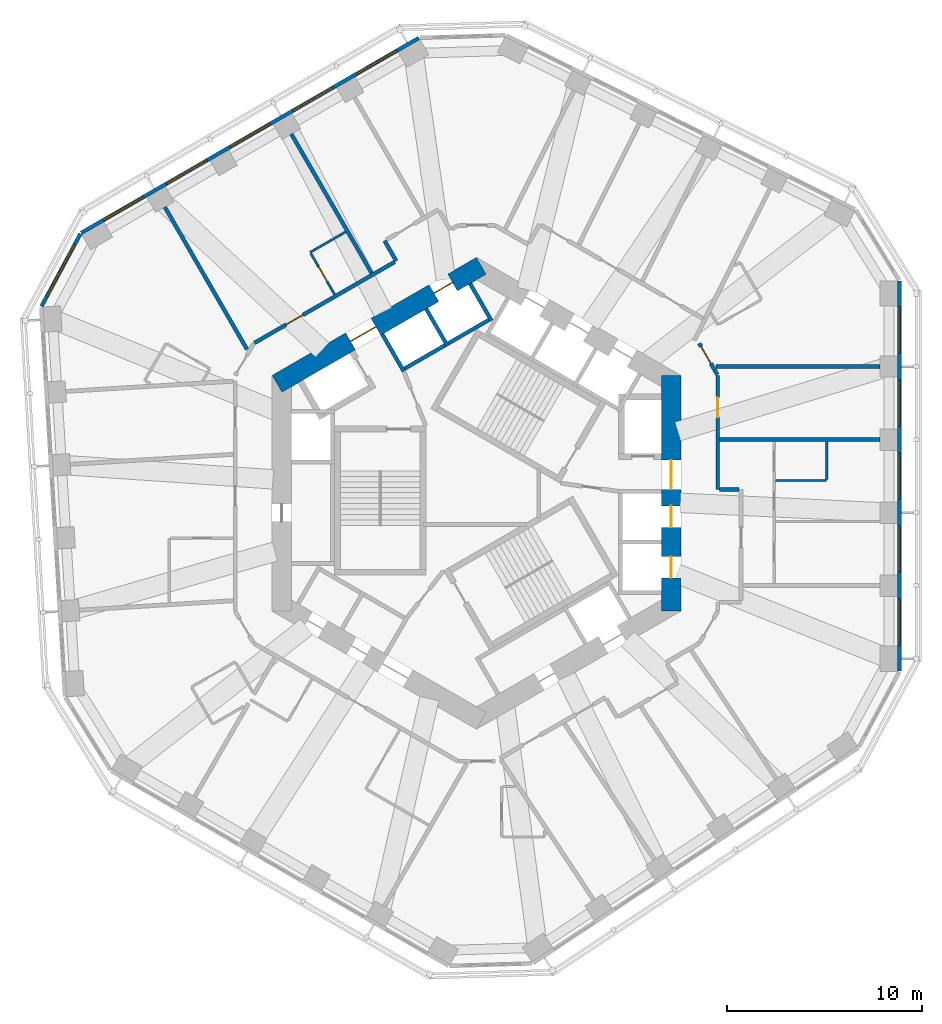
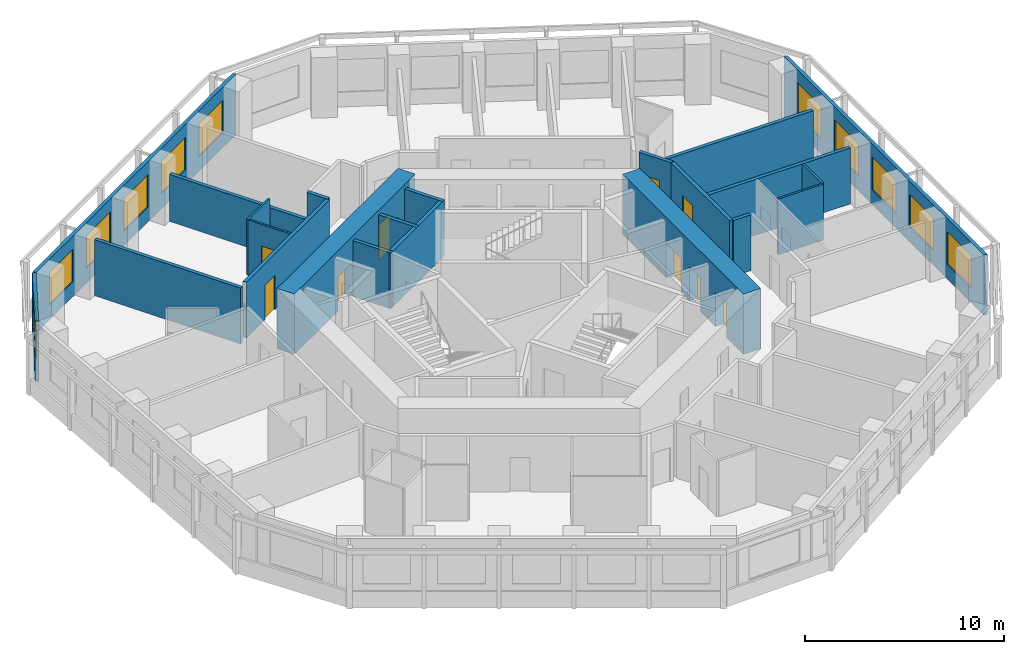
# One storey, part 7 of 11: 22 walls, 11 windows, 9 doors, 20 openings.
"""IFC4 building model written with IfcOpenShell, lengths in metres."""

from ifc_helpers import new_model, si_unit, direction, frame, frame_2d, origin, place, context, subcontext, project, spatial, rectangle, extrude, material, layer, layer_set, type_object, element, fill, save


model = new_model("IFC4")

# Units and contexts
model_context = context("Model", 3, precision=1e-05, world=origin(), true_north=direction((0.0, 1.0)))
body_context = subcontext(model_context, "Body", "Model", "MODEL_VIEW")
ifc_project = project(units=[si_unit("LENGTHUNIT", "METRE"), si_unit("AREAUNIT", "SQUARE_METRE"), si_unit("VOLUMEUNIT", "CUBIC_METRE"), si_unit("PLANEANGLEUNIT", "RADIAN"), si_unit("MASSUNIT", "GRAM", prefix="KILO")], contexts=[model_context])

# Site, building, storey
site_placement = place(None, origin())
site = spatial("IfcSite", under=ifc_project, at=site_placement, CompositionType="ELEMENT")
building_placement = place(site_placement, origin())
building = spatial("IfcBuilding", under=site, at=building_placement, Name="Vanh Sen Convention Tower", CompositionType="ELEMENT")
storey_placement = place(building_placement, frame((0.0, 0.0, 131.800048828125)))
storey = spatial("IfcBuildingStorey", under=building, at=storey_placement, Name="L32", CompositionType="ELEMENT", Elevation=131.800048828125)

# Wall
ifc_material_1 = material(Name="Moisture-resistant gypsum board on steel studs", Category="steel")
ifc_layer_1 = layer(ifc_material_1, 0.1201171875)
ifc_layer_set_1 = layer_set([ifc_layer_1], Name="Moisture-resistant gypsum board on steel studs")
wall_type_1 = type_object("IfcWallType", Name="Bathroom partition 120", PredefinedType="PARTITIONING", material=ifc_layer_set_1)
wall_1_placement = place(storey_placement, frame((-8.54541015625, 12.38671875, 0.0), z_axis=(0.0, 0.0, 1.0), x_axis=(0.866009402589, 0.500027713859, 0.0)))
element("IfcWall", 1, at=wall_1_placement, inside=storey, type_object=wall_type_1, Name="Bathroom partition 120", PredefinedType="PARTITIONING", context=body_context, shape_type="SweptSolid", body=[
    extrude(rectangle(XDim=2.10009765625, YDim=0.1201171875, at=frame_2d((1.050048828125, 0.0))), origin(), (0.0, 0.0, 1.0), 3.419921875),
])

# Wall, opening, door
wall_2_placement = place(storey_placement, frame((-7.29541015625, 10.2216796875, 0.0), z_axis=(0.0, 0.0, 1.0), x_axis=(-0.500002508028, 0.866023955769, 0.0)))
wall_2 = element("IfcWall", 2, at=wall_2_placement, inside=storey, type_object=wall_type_1, Name="Bathroom partition 120", PredefinedType="PARTITIONING", context=body_context, shape_type="SweptSolid", body=[
    extrude(rectangle(XDim=2.43994140625, YDim=0.1201171875, at=frame_2d((1.219970703125, 0.0))), origin(), (0.0, 0.0, 1.0), 3.419921875),
])
opening_1_placement = place(wall_2_placement, frame((0.77001953125, 0.0, 0.0)))
opening_1 = element("IfcOpeningElement", 3, at=opening_1_placement, cuts=wall_2, Name="Opening D32114", PredefinedType="OPENING", context=body_context, shape_type="SweptSolid", body=[
    extrude(rectangle(XDim=0.89990234375, YDim=2.10009765625, at=frame_2d((0.449951171875, 1.050048828125))), frame((0.0, 0.070068359375, 0.0), z_axis=(0.0, -1.0, 0.0), x_axis=(1.0, 0.0, 0.0)), (0.0, 0.0, 1.0), 0.14013671875),
])
ifc_material_2 = material(Name="Laminate door in steel frame", Category="steel")
door_type_1 = type_object("IfcDoorType", Name="Room internal door 900", OperationType="SINGLE_SWING_LEFT", PredefinedType="DOOR", material=ifc_material_2)
door_1_placement = place(opening_1_placement, origin())
door_1 = element("IfcDoor", 4, at=door_1_placement, inside=storey, type_object=door_type_1, Name="Internal room door D32114", OperationType="SINGLE_SWING_LEFT", OverallHeight=2.10009765625, OverallWidth=0.89990234375, PredefinedType="DOOR", context=body_context, shape_type="SweptSolid", body=[
    extrude(rectangle(XDim=0.89990234375, YDim=2.10009765625, at=frame_2d((0.449951171875, 1.050048828125))), frame((0.0, 0.02490234375, 0.0), z_axis=(0.0, -1.0, 0.0), x_axis=(1.0, 0.0, 0.0)), (0.0, 0.0, 1.0), 0.050048828125),
])
fill(opening_1, door_1)

# Walls
wall_3_placement = place(storey_placement, frame((15.361083984375, 0.661376953125, 0.0), z_axis=(0.0, 0.0, 1.0), x_axis=(1.0, 0.0, 0.0)))
element("IfcWall", 5, at=wall_3_placement, inside=storey, type_object=wall_type_1, Name="Bathroom partition 120", PredefinedType="PARTITIONING", context=body_context, shape_type="SweptSolid", body=[
    extrude(rectangle(XDim=2.639892578125, YDim=0.1201171875, at=frame_2d((1.31982421875, 0.0))), origin(), (0.0, 0.0, 1.0), 3.419921875),
])
wall_4_placement = place(storey_placement, frame((18.0009765625, 0.72119140625, 0.0), z_axis=(0.0, 0.0, 1.0), x_axis=(0.0, 1.0, 0.0)))
element("IfcWall", 6, at=wall_4_placement, inside=storey, type_object=wall_type_1, Name="Bathroom partition 120", PredefinedType="PARTITIONING", context=body_context, shape_type="SweptSolid", body=[
    extrude(rectangle(XDim=1.940185546875, YDim=0.1201171875, at=frame_2d((0.97021484375, 0.0))), origin(), (0.0, 0.0, 1.0), 3.419921875),
])

# Wall, openings, doors
ifc_material_3 = material(Name="Concrete C80/95", Category="concrete")
ifc_layer_2 = layer(ifc_material_3, 1.0)
ifc_layer_set_2 = layer_set([ifc_layer_2], Name="Concrete C80/95")
wall_type_2 = type_object("IfcWallType", Name="Core outer wall 1000 C80/95", PredefinedType="SHEAR", material=ifc_layer_set_2)
wall_5_placement = place(storey_placement, frame((10.0, -6.062255859375, 0.0), z_axis=(0.0, 0.0, 1.0), x_axis=(0.0, 1.0, 0.0)))
wall_5 = element("IfcWall", 7, at=wall_5_placement, inside=storey, type_object=wall_type_2, Name="Core wall face E L32", PredefinedType="SHEAR", context=body_context, shape_type="SweptSolid", body=[
    extrude(rectangle(XDim=12.12451171875, YDim=1.0, at=frame_2d((6.062255859375, 0.0))), origin(), (0.0, 0.0, 1.0), 3.699951171875),
])
opening_2_placement = place(wall_5_placement, frame((6.26220703125, 0.0, 0.0)))
opening_2 = element("IfcOpeningElement", 8, at=opening_2_placement, cuts=wall_5, Name="Opening D32001", PredefinedType="OPENING", context=body_context, shape_type="SweptSolid", body=[
    extrude(rectangle(XDim=1.5, YDim=2.10009765625, at=frame_2d((0.75, 1.050048828125))), frame((0.0, 0.510009765625, 0.0), z_axis=(0.0, -1.0, 0.0), x_axis=(1.0, 0.0, 0.0)), (0.0, 0.0, 1.0), 1.02001953125),
])
opening_3_placement = place(wall_5_placement, frame((1.712158203125, 0.0, 0.0)))
opening_3 = element("IfcOpeningElement", 9, at=opening_3_placement, cuts=wall_5, Name="Opening LD-LR1", PredefinedType="OPENING", context=body_context, shape_type="SweptSolid", body=[
    extrude(rectangle(XDim=1.10009765625, YDim=2.10009765625, at=frame_2d((0.550048828125, 1.050048828125))), frame((0.0, 0.510009765625, 0.0), z_axis=(0.0, -1.0, 0.0), x_axis=(1.0, 0.0, 0.0)), (0.0, 0.0, 1.0), 1.02001953125),
])
opening_4_placement = place(wall_5_placement, frame((4.312255859375, 0.0, 0.0)))
opening_4 = element("IfcOpeningElement", 10, at=opening_4_placement, cuts=wall_5, Name="Opening LD-LR2", PredefinedType="OPENING", context=body_context, shape_type="SweptSolid", body=[
    extrude(rectangle(XDim=1.10009765625, YDim=2.10009765625, at=frame_2d((0.550048828125, 1.050048828125))), frame((0.0, 0.510009765625, 0.0), z_axis=(0.0, -1.0, 0.0), x_axis=(1.0, 0.0, 0.0)), (0.0, 0.0, 1.0), 1.02001953125),
])
ifc_material_4 = material(Name="Stainless steel", Category="steel")
door_type_2 = type_object("IfcDoorType", Name="Lift landing door 1100", OperationType="DOUBLE_DOOR_SLIDING", PredefinedType="DOOR", material=ifc_material_4)
door_2_placement = place(opening_3_placement, origin())
door_2 = element("IfcDoor", 11, at=door_2_placement, inside=storey, type_object=door_type_2, Name="Lift LR1 landing door LD-LR1", OperationType="DOUBLE_DOOR_SLIDING", OverallHeight=2.10009765625, OverallWidth=1.10009765625, PredefinedType="DOOR", context=body_context, shape_type="SweptSolid", body=[
    extrude(rectangle(XDim=1.10009765625, YDim=2.10009765625, at=frame_2d((0.550048828125, 1.050048828125))), frame((0.0, 0.02490234375, 0.0), z_axis=(0.0, -1.0, 0.0), x_axis=(1.0, 0.0, 0.0)), (0.0, 0.0, 1.0), 0.050048828125),
])
fill(opening_3, door_2)
door_3_placement = place(opening_4_placement, origin())
door_3 = element("IfcDoor", 12, at=door_3_placement, inside=storey, type_object=door_type_2, Name="Lift LR2 landing door LD-LR2", OperationType="DOUBLE_DOOR_SLIDING", OverallHeight=2.10009765625, OverallWidth=1.10009765625, PredefinedType="DOOR", context=body_context, shape_type="SweptSolid", body=[
    extrude(rectangle(XDim=1.10009765625, YDim=2.10009765625, at=frame_2d((0.550048828125, 1.050048828125))), frame((0.0, 0.02490234375, 0.0), z_axis=(0.0, -1.0, 0.0), x_axis=(1.0, 0.0, 0.0)), (0.0, 0.0, 1.0), 0.050048828125),
])
fill(opening_4, door_3)
ifc_material_5 = material(Name="Steel S355", Category="steel")
door_type_3 = type_object("IfcDoorType", Name="Stair lobby door 1500", OperationType="DOUBLE_DOOR_SINGLE_SWING", PredefinedType="DOOR", material=ifc_material_5)
door_4_placement = place(opening_2_placement, origin())
door_4 = element("IfcDoor", 13, at=door_4_placement, inside=storey, type_object=door_type_3, Name="Stair lobby door D32001", OperationType="DOUBLE_DOOR_SINGLE_SWING", OverallHeight=2.10009765625, OverallWidth=1.5, PredefinedType="DOOR", context=body_context, shape_type="SweptSolid", body=[
    extrude(rectangle(XDim=1.5, YDim=2.10009765625, at=frame_2d((0.75, 1.050048828125))), frame((0.0, 0.02490234375, 0.0), z_axis=(0.0, -1.0, 0.0), x_axis=(1.0, 0.0, 0.0)), (0.0, 0.0, 1.0), 0.050048828125),
])
fill(opening_2, door_4)

wall_6_placement = place(storey_placement, frame((0.25, 11.69140625, 0.0), z_axis=(0.0, 0.0, 1.0), x_axis=(-0.866022616891, -0.50000482701, 0.0)))
wall_6 = element("IfcWall", 14, at=wall_6_placement, inside=storey, type_object=wall_type_2, Name="Core wall face NW L32", PredefinedType="SHEAR", context=body_context, shape_type="SweptSolid", body=[
    extrude(rectangle(XDim=12.12451171875, YDim=1.0, at=frame_2d((6.062255859375, 0.0))), origin(), (0.0, 0.0, 1.0), 3.699951171875),
])
opening_5_placement = place(wall_6_placement, frame((6.26220703125, 0.0, 0.0)))
opening_5 = element("IfcOpeningElement", 15, at=opening_5_placement, cuts=wall_6, Name="Opening D32002", PredefinedType="OPENING", context=body_context, shape_type="SweptSolid", body=[
    extrude(rectangle(XDim=1.5, YDim=2.10009765625, at=frame_2d((0.75, 1.050048828125))), frame((0.0, 0.510009765625, 0.0), z_axis=(0.0, -1.0, 0.0), x_axis=(1.0, 0.0, 0.0)), (0.0, 0.0, 1.0), 1.02001953125),
])
opening_6_placement = place(wall_6_placement, frame((1.712158203125, 0.0, 0.0)))
opening_6 = element("IfcOpeningElement", 16, at=opening_6_placement, cuts=wall_6, Name="Opening LD-LR6", PredefinedType="OPENING", context=body_context, shape_type="SweptSolid", body=[
    extrude(rectangle(XDim=1.10009765625, YDim=2.10009765625, at=frame_2d((0.550048828125, 1.050048828125))), frame((0.0, 0.510009765625, 0.0), z_axis=(0.0, -1.0, 0.0), x_axis=(1.0, 0.0, 0.0)), (0.0, 0.0, 1.0), 1.02001953125),
])
door_5_placement = place(opening_6_placement, origin())
door_5 = element("IfcDoor", 17, at=door_5_placement, inside=storey, type_object=door_type_2, Name="Lift LR6 landing door LD-LR6", OperationType="DOUBLE_DOOR_SLIDING", OverallHeight=2.10009765625, OverallWidth=1.10009765625, PredefinedType="DOOR", context=body_context, shape_type="SweptSolid", body=[
    extrude(rectangle(XDim=1.10009765625, YDim=2.10009765625, at=frame_2d((0.550048828125, 1.050048828125))), frame((0.0, 0.02490234375, 0.0), z_axis=(0.0, -1.0, 0.0), x_axis=(1.0, 0.0, 0.0)), (0.0, 0.0, 1.0), 0.050048828125),
])
fill(opening_6, door_5)
door_6_placement = place(opening_5_placement, origin())
door_6 = element("IfcDoor", 18, at=door_6_placement, inside=storey, type_object=door_type_3, Name="Stair lobby door D32002", OperationType="DOUBLE_DOOR_SINGLE_SWING", OverallHeight=2.10009765625, OverallWidth=1.5, PredefinedType="DOOR", context=body_context, shape_type="SweptSolid", body=[
    extrude(rectangle(XDim=1.5, YDim=2.10009765625, at=frame_2d((0.75, 1.050048828125))), frame((0.0, 0.02490234375, 0.0), z_axis=(0.0, -1.0, 0.0), x_axis=(1.0, 0.0, 0.0)), (0.0, 0.0, 1.0), 0.050048828125),
])
fill(opening_5, door_6)

# Wall
ifc_material_6 = material(Name="Gypsum board on steel studs with mineral wool", Category="steel")
ifc_layer_3 = layer(ifc_material_6, 0.199951171875)
ifc_layer_set_3 = layer_set([ifc_layer_3], Name="Gypsum board on steel studs with mineral wool")
wall_type_3 = type_object("IfcWallType", Name="Corridor partition wall 200", PredefinedType="PARTITIONING", material=ifc_layer_set_3)
wall_7_placement = place(storey_placement, frame((-4.722900390625, 12.978271484375, 0.0), z_axis=(0.0, 0.0, 1.0), x_axis=(0.500074377092, -0.865982457891, 0.0)))
element("IfcWall", 19, at=wall_7_placement, inside=storey, type_object=wall_type_3, Name="Corridor partition wall 200", PredefinedType="PARTITIONING", context=body_context, shape_type="SweptSolid", body=[
    extrude(rectangle(XDim=1.200927734375, YDim=0.199951171875, at=frame_2d((0.6005859375, 0.0))), origin(), (0.0, 0.0, 1.0), 3.419921875),
])

# Wall, opening, door
wall_8_placement = place(storey_placement, frame((-4.208984375, 11.88818359375, 0.0), z_axis=(0.0, 0.0, 1.0), x_axis=(-0.866020930448, -0.500007747966, 0.0)))
wall_8 = element("IfcWall", 20, at=wall_8_placement, inside=storey, type_object=wall_type_3, Name="Corridor partition wall 200", PredefinedType="PARTITIONING", context=body_context, shape_type="SweptSolid", body=[
    extrude(rectangle(XDim=8.321044921875, YDim=0.199951171875, at=frame_2d((4.16064453125, 0.0))), origin(), (0.0, 0.0, 1.0), 3.419921875),
])
opening_7_placement = place(wall_8_placement, frame((5.438720703125, 0.0, 0.0)))
opening_7 = element("IfcOpeningElement", 21, at=opening_7_placement, cuts=wall_8, Name="Opening D32113", PredefinedType="OPENING", context=body_context, shape_type="SweptSolid", body=[
    extrude(rectangle(XDim=1.0, YDim=2.10009765625, at=frame_2d((0.5, 1.050048828125))), frame((0.0, 0.10986328125, 0.0), z_axis=(0.0, -1.0, 0.0), x_axis=(1.0, 0.0, 0.0)), (0.0, 0.0, 1.0), 0.219970703125),
])
ifc_material_7 = material(Name="Glazed fire door in steel frame", Category="steel")
door_type_4 = type_object("IfcDoorType", Name="Tenant entrance door 1000", OperationType="SINGLE_SWING_LEFT", PredefinedType="DOOR", material=ifc_material_7)
door_7_placement = place(opening_7_placement, origin())
door_7 = element("IfcDoor", 22, at=door_7_placement, inside=storey, type_object=door_type_4, Name="Tenant suite entrance door D32113", OperationType="SINGLE_SWING_LEFT", OverallHeight=2.10009765625, OverallWidth=1.0, PredefinedType="DOOR", context=body_context, shape_type="SweptSolid", body=[
    extrude(rectangle(XDim=1.0, YDim=2.10009765625, at=frame_2d((0.5, 1.050048828125))), frame((0.0, 0.02490234375, 0.0), z_axis=(0.0, -1.0, 0.0), x_axis=(1.0, 0.0, 0.0)), (0.0, 0.0, 1.0), 0.050048828125),
])
fill(opening_7, door_7)

wall_9_placement = place(storey_placement, frame((12.3798828125, 6.0966796875, 0.0), z_axis=(0.0, 0.0, 1.0), x_axis=(-0.499964847546, 0.866045698112, 0.0)))
wall_9 = element("IfcWall", 23, at=wall_9_placement, inside=storey, type_object=wall_type_3, Name="Corridor partition wall 200", PredefinedType="PARTITIONING", context=body_context, shape_type="SweptSolid", body=[
    extrude(rectangle(XDim=1.860107421875, YDim=0.199951171875, at=frame_2d((0.93017578125, 0.0))), origin(), (0.0, 0.0, 1.0), 3.419921875),
])
opening_8_placement = place(wall_9_placement, frame((0.671630859375, 0.0, 0.0)))
opening_8 = element("IfcOpeningElement", 24, at=opening_8_placement, cuts=wall_9, Name="Opening D32106", PredefinedType="OPENING", context=body_context, shape_type="SweptSolid", body=[
    extrude(rectangle(XDim=1.0, YDim=2.10009765625, at=frame_2d((0.5, 1.050048828125))), frame((0.0, 0.10986328125, 0.0), z_axis=(0.0, -1.0, 0.0), x_axis=(1.0, 0.0, 0.0)), (0.0, 0.0, 1.0), 0.219970703125),
])
door_8_placement = place(opening_8_placement, origin())
door_8 = element("IfcDoor", 25, at=door_8_placement, inside=storey, type_object=door_type_4, Name="Tenant suite entrance door D32106", OperationType="SINGLE_SWING_LEFT", OverallHeight=2.10009765625, OverallWidth=1.0, PredefinedType="DOOR", context=body_context, shape_type="SweptSolid", body=[
    extrude(rectangle(XDim=1.0, YDim=2.10009765625, at=frame_2d((0.5, 1.050048828125))), frame((0.0, 0.02490234375, 0.0), z_axis=(0.0, -1.0, 0.0), x_axis=(1.0, 0.0, 0.0)), (0.0, 0.0, 1.0), 0.050048828125),
])
fill(opening_8, door_8)

wall_10_placement = place(storey_placement, frame((12.39990234375, 0.200927734375, 0.0), z_axis=(0.0, 0.0, 1.0), x_axis=(0.0, 1.0, 0.0)))
wall_10 = element("IfcWall", 26, at=wall_10_placement, inside=storey, type_object=wall_type_3, Name="Corridor partition wall 200", PredefinedType="PARTITIONING", context=body_context, shape_type="SweptSolid", body=[
    extrude(rectangle(XDim=5.861328125, YDim=0.199951171875, at=frame_2d((2.9306640625, 0.0))), origin(), (0.0, 0.0, 1.0), 3.419921875),
])
opening_9_placement = place(wall_10_placement, frame((3.710693359375, 0.0, 0.0)))
opening_9 = element("IfcOpeningElement", 27, at=opening_9_placement, cuts=wall_10, Name="Opening D32105", PredefinedType="OPENING", context=body_context, shape_type="SweptSolid", body=[
    extrude(rectangle(XDim=1.0, YDim=2.10009765625, at=frame_2d((0.5, 1.050048828125))), frame((0.0, 0.10986328125, 0.0), z_axis=(0.0, -1.0, 0.0), x_axis=(1.0, 0.0, 0.0)), (0.0, 0.0, 1.0), 0.219970703125),
])
door_9_placement = place(opening_9_placement, origin())
door_9 = element("IfcDoor", 28, at=door_9_placement, inside=storey, type_object=door_type_4, Name="Tenant suite entrance door D32105", OperationType="SINGLE_SWING_LEFT", OverallHeight=2.10009765625, OverallWidth=1.0, PredefinedType="DOOR", context=body_context, shape_type="SweptSolid", body=[
    extrude(rectangle(XDim=1.0, YDim=2.10009765625, at=frame_2d((0.5, 1.050048828125))), frame((0.0, 0.02490234375, 0.0), z_axis=(0.0, -1.0, 0.0), x_axis=(1.0, 0.0, 0.0)), (0.0, 0.0, 1.0), 0.050048828125),
])
fill(opening_9, door_9)

# Wall
wall_11_placement = place(storey_placement, frame((13.5009765625, 0.200927734375, 0.0), z_axis=(0.0, 0.0, 1.0), x_axis=(-1.0, 0.0, 0.0)))
element("IfcWall", 29, at=wall_11_placement, inside=storey, type_object=wall_type_3, Name="Corridor partition wall 200", PredefinedType="PARTITIONING", context=body_context, shape_type="SweptSolid", body=[
    extrude(rectangle(XDim=1.0009765625, YDim=0.199951171875, at=frame_2d((0.50048828125, 0.0))), origin(), (0.0, 0.0, 1.0), 3.419921875),
])

# Wall, openings, windows
ifc_material_8 = material(Name="Insulated lightweight infill wall")
ifc_layer_4 = layer(ifc_material_8, 0.199951171875)
ifc_layer_set_4 = layer_set([ifc_layer_4], Name="Insulated lightweight infill wall")
wall_type_4 = type_object("IfcWallType", Name="External wall 200", PredefinedType="STANDARD", material=ifc_layer_set_4)
wall_12_placement = place(storey_placement, frame((21.75, -9.138427734375, 0.0), z_axis=(0.0, 0.0, 1.0), x_axis=(0.0, 1.0, 0.0)))
wall_12 = element("IfcWall", 30, at=wall_12_placement, inside=storey, type_object=wall_type_4, Name="External wall E L32", PredefinedType="STANDARD", context=body_context, shape_type="SweptSolid", body=[
    extrude(rectangle(XDim=20.043701171875, YDim=0.199951171875, at=frame_2d((10.02197265625, 0.0))), origin(), (0.0, 0.0, 1.0), 3.699951171875),
])
opening_10_placement = place(wall_12_placement, frame((1.314453125, 0.0, 0.89990234375)))
opening_10 = element("IfcOpeningElement", 31, at=opening_10_placement, cuts=wall_12, Name="Opening WO1-E1", PredefinedType="OPENING", context=body_context, shape_type="SweptSolid", body=[
    extrude(rectangle(XDim=2.39990234375, YDim=2.0, at=frame_2d((1.199951171875, 1.0))), frame((0.0, 0.10986328125, 0.0), z_axis=(0.0, -1.0, 0.0), x_axis=(1.0, 0.0, 0.0)), (0.0, 0.0, 1.0), 0.219970703125),
])
opening_11_placement = place(wall_12_placement, frame((5.068603515625, 0.0, 0.89990234375)))
opening_11 = element("IfcOpeningElement", 32, at=opening_11_placement, cuts=wall_12, Name="Opening WO1-E2", PredefinedType="OPENING", context=body_context, shape_type="SweptSolid", body=[
    extrude(rectangle(XDim=2.39990234375, YDim=2.0, at=frame_2d((1.199951171875, 1.0))), frame((0.0, 0.10986328125, 0.0), z_axis=(0.0, -1.0, 0.0), x_axis=(1.0, 0.0, 0.0)), (0.0, 0.0, 1.0), 0.219970703125),
])
opening_12_placement = place(wall_12_placement, frame((8.82275390625, 0.0, 0.89990234375)))
opening_12 = element("IfcOpeningElement", 33, at=opening_12_placement, cuts=wall_12, Name="Opening WO1-E3", PredefinedType="OPENING", context=body_context, shape_type="SweptSolid", body=[
    extrude(rectangle(XDim=2.39990234375, YDim=2.0, at=frame_2d((1.199951171875, 1.0))), frame((0.0, 0.10986328125, 0.0), z_axis=(0.0, -1.0, 0.0), x_axis=(1.0, 0.0, 0.0)), (0.0, 0.0, 1.0), 0.219970703125),
])
opening_13_placement = place(wall_12_placement, frame((12.576904296875, 0.0, 0.89990234375)))
opening_13 = element("IfcOpeningElement", 34, at=opening_13_placement, cuts=wall_12, Name="Opening WO1-E4", PredefinedType="OPENING", context=body_context, shape_type="SweptSolid", body=[
    extrude(rectangle(XDim=2.39990234375, YDim=2.0, at=frame_2d((1.199951171875, 1.0))), frame((0.0, 0.10986328125, 0.0), z_axis=(0.0, -1.0, 0.0), x_axis=(1.0, 0.0, 0.0)), (0.0, 0.0, 1.0), 0.219970703125),
])
opening_14_placement = place(wall_12_placement, frame((16.330810546875, 0.0, 0.89990234375)))
opening_14 = element("IfcOpeningElement", 35, at=opening_14_placement, cuts=wall_12, Name="Opening WO1-E5", PredefinedType="OPENING", context=body_context, shape_type="SweptSolid", body=[
    extrude(rectangle(XDim=2.39990234375, YDim=2.0, at=frame_2d((1.199951171875, 1.0))), frame((0.0, 0.10986328125, 0.0), z_axis=(0.0, -1.0, 0.0), x_axis=(1.0, 0.0, 0.0)), (0.0, 0.0, 1.0), 0.219970703125),
])
ifc_material_9 = material(Name="Aluminium frame with clear low-emissivity glass", Category="aluminium")
window_type_1 = type_object("IfcWindowType", Name="Office window 2400 x 2000", PartitioningType="SINGLE_PANEL", PredefinedType="WINDOW", material=ifc_material_9)
window_1_placement = place(opening_10_placement, origin())
window_1 = element("IfcWindow", 36, at=window_1_placement, inside=storey, type_object=window_type_1, Name="Window WO1-E1", OverallHeight=2.0, OverallWidth=2.39990234375, PartitioningType="SINGLE_PANEL", PredefinedType="WINDOW", context=body_context, shape_type="SweptSolid", body=[
    extrude(rectangle(XDim=2.39990234375, YDim=2.0, at=frame_2d((1.199951171875, 1.0))), frame((0.0, 0.030029296875, 0.0), z_axis=(0.0, -1.0, 0.0), x_axis=(1.0, 0.0, 0.0)), (0.0, 0.0, 1.0), 0.06005859375),
])
fill(opening_10, window_1)
window_2_placement = place(opening_11_placement, origin())
window_2 = element("IfcWindow", 37, at=window_2_placement, inside=storey, type_object=window_type_1, Name="Window WO1-E2", OverallHeight=2.0, OverallWidth=2.39990234375, PartitioningType="SINGLE_PANEL", PredefinedType="WINDOW", context=body_context, shape_type="SweptSolid", body=[
    extrude(rectangle(XDim=2.39990234375, YDim=2.0, at=frame_2d((1.199951171875, 1.0))), frame((0.0, 0.030029296875, 0.0), z_axis=(0.0, -1.0, 0.0), x_axis=(1.0, 0.0, 0.0)), (0.0, 0.0, 1.0), 0.06005859375),
])
fill(opening_11, window_2)
window_3_placement = place(opening_12_placement, origin())
window_3 = element("IfcWindow", 38, at=window_3_placement, inside=storey, type_object=window_type_1, Name="Window WO1-E3", OverallHeight=2.0, OverallWidth=2.39990234375, PartitioningType="SINGLE_PANEL", PredefinedType="WINDOW", context=body_context, shape_type="SweptSolid", body=[
    extrude(rectangle(XDim=2.39990234375, YDim=2.0, at=frame_2d((1.199951171875, 1.0))), frame((0.0, 0.030029296875, 0.0), z_axis=(0.0, -1.0, 0.0), x_axis=(1.0, 0.0, 0.0)), (0.0, 0.0, 1.0), 0.06005859375),
])
fill(opening_12, window_3)
window_4_placement = place(opening_13_placement, origin())
window_4 = element("IfcWindow", 39, at=window_4_placement, inside=storey, type_object=window_type_1, Name="Window WO1-E4", OverallHeight=2.0, OverallWidth=2.39990234375, PartitioningType="SINGLE_PANEL", PredefinedType="WINDOW", context=body_context, shape_type="SweptSolid", body=[
    extrude(rectangle(XDim=2.39990234375, YDim=2.0, at=frame_2d((1.199951171875, 1.0))), frame((0.0, 0.030029296875, 0.0), z_axis=(0.0, -1.0, 0.0), x_axis=(1.0, 0.0, 0.0)), (0.0, 0.0, 1.0), 0.06005859375),
])
fill(opening_13, window_4)
window_5_placement = place(opening_14_placement, origin())
window_5 = element("IfcWindow", 40, at=window_5_placement, inside=storey, type_object=window_type_1, Name="Window WO1-E5", OverallHeight=2.0, OverallWidth=2.39990234375, PartitioningType="SINGLE_PANEL", PredefinedType="WINDOW", context=body_context, shape_type="SweptSolid", body=[
    extrude(rectangle(XDim=2.39990234375, YDim=2.0, at=frame_2d((1.199951171875, 1.0))), frame((0.0, 0.030029296875, 0.0), z_axis=(0.0, -1.0, 0.0), x_axis=(1.0, 0.0, 0.0)), (0.0, 0.0, 1.0), 0.06005859375),
])
fill(opening_14, window_5)

wall_13_placement = place(storey_placement, frame((-2.9609375, 23.4052734375, 0.0), z_axis=(0.0, 0.0, 1.0), x_axis=(-0.866023315909, -0.500003616288, 0.0)))
wall_13 = element("IfcWall", 41, at=wall_13_placement, inside=storey, type_object=wall_type_4, Name="External wall NW L32", PredefinedType="STANDARD", context=body_context, shape_type="SweptSolid", body=[
    extrude(rectangle(XDim=20.043701171875, YDim=0.199951171875, at=frame_2d((10.02197265625, 0.0))), origin(), (0.0, 0.0, 1.0), 3.699951171875),
])
opening_15_placement = place(wall_13_placement, frame((1.314453125, 0.0, 0.89990234375)))
opening_15 = element("IfcOpeningElement", 42, at=opening_15_placement, cuts=wall_13, Name="Opening WO1-NW1", PredefinedType="OPENING", context=body_context, shape_type="SweptSolid", body=[
    extrude(rectangle(XDim=2.39990234375, YDim=2.0, at=frame_2d((1.199951171875, 1.0))), frame((0.0, 0.10986328125, 0.0), z_axis=(0.0, -1.0, 0.0), x_axis=(1.0, 0.0, 0.0)), (0.0, 0.0, 1.0), 0.219970703125),
])
opening_16_placement = place(wall_13_placement, frame((5.068603515625, 0.0, 0.89990234375)))
opening_16 = element("IfcOpeningElement", 43, at=opening_16_placement, cuts=wall_13, Name="Opening WO1-NW2", PredefinedType="OPENING", context=body_context, shape_type="SweptSolid", body=[
    extrude(rectangle(XDim=2.39990234375, YDim=2.0, at=frame_2d((1.199951171875, 1.0))), frame((0.0, 0.10986328125, 0.0), z_axis=(0.0, -1.0, 0.0), x_axis=(1.0, 0.0, 0.0)), (0.0, 0.0, 1.0), 0.219970703125),
])
opening_17_placement = place(wall_13_placement, frame((8.82275390625, 0.0, 0.89990234375)))
opening_17 = element("IfcOpeningElement", 44, at=opening_17_placement, cuts=wall_13, Name="Opening WO1-NW3", PredefinedType="OPENING", context=body_context, shape_type="SweptSolid", body=[
    extrude(rectangle(XDim=2.39990234375, YDim=2.0, at=frame_2d((1.199951171875, 1.0))), frame((0.0, 0.10986328125, 0.0), z_axis=(0.0, -1.0, 0.0), x_axis=(1.0, 0.0, 0.0)), (0.0, 0.0, 1.0), 0.219970703125),
])
opening_18_placement = place(wall_13_placement, frame((12.576904296875, 0.0, 0.89990234375)))
opening_18 = element("IfcOpeningElement", 45, at=opening_18_placement, cuts=wall_13, Name="Opening WO1-NW4", PredefinedType="OPENING", context=body_context, shape_type="SweptSolid", body=[
    extrude(rectangle(XDim=2.39990234375, YDim=2.0, at=frame_2d((1.199951171875, 1.0))), frame((0.0, 0.10986328125, 0.0), z_axis=(0.0, -1.0, 0.0), x_axis=(1.0, 0.0, 0.0)), (0.0, 0.0, 1.0), 0.219970703125),
])
opening_19_placement = place(wall_13_placement, frame((16.330810546875, 0.0, 0.89990234375)))
opening_19 = element("IfcOpeningElement", 46, at=opening_19_placement, cuts=wall_13, Name="Opening WO1-NW5", PredefinedType="OPENING", context=body_context, shape_type="SweptSolid", body=[
    extrude(rectangle(XDim=2.39990234375, YDim=2.0, at=frame_2d((1.199951171875, 1.0))), frame((0.0, 0.10986328125, 0.0), z_axis=(0.0, -1.0, 0.0), x_axis=(1.0, 0.0, 0.0)), (0.0, 0.0, 1.0), 0.219970703125),
])
window_6_placement = place(opening_15_placement, origin())
window_6 = element("IfcWindow", 47, at=window_6_placement, inside=storey, type_object=window_type_1, Name="Window WO1-NW1", OverallHeight=2.0, OverallWidth=2.39990234375, PartitioningType="SINGLE_PANEL", PredefinedType="WINDOW", context=body_context, shape_type="SweptSolid", body=[
    extrude(rectangle(XDim=2.39990234375, YDim=2.0, at=frame_2d((1.199951171875, 1.0))), frame((0.0, 0.030029296875, 0.0), z_axis=(0.0, -1.0, 0.0), x_axis=(1.0, 0.0, 0.0)), (0.0, 0.0, 1.0), 0.06005859375),
])
fill(opening_15, window_6)
window_7_placement = place(opening_16_placement, origin())
window_7 = element("IfcWindow", 48, at=window_7_placement, inside=storey, type_object=window_type_1, Name="Window WO1-NW2", OverallHeight=2.0, OverallWidth=2.39990234375, PartitioningType="SINGLE_PANEL", PredefinedType="WINDOW", context=body_context, shape_type="SweptSolid", body=[
    extrude(rectangle(XDim=2.39990234375, YDim=2.0, at=frame_2d((1.199951171875, 1.0))), frame((0.0, 0.030029296875, 0.0), z_axis=(0.0, -1.0, 0.0), x_axis=(1.0, 0.0, 0.0)), (0.0, 0.0, 1.0), 0.06005859375),
])
fill(opening_16, window_7)
window_8_placement = place(opening_17_placement, origin())
window_8 = element("IfcWindow", 49, at=window_8_placement, inside=storey, type_object=window_type_1, Name="Window WO1-NW3", OverallHeight=2.0, OverallWidth=2.39990234375, PartitioningType="SINGLE_PANEL", PredefinedType="WINDOW", context=body_context, shape_type="SweptSolid", body=[
    extrude(rectangle(XDim=2.39990234375, YDim=2.0, at=frame_2d((1.199951171875, 1.0))), frame((0.0, 0.030029296875, 0.0), z_axis=(0.0, -1.0, 0.0), x_axis=(1.0, 0.0, 0.0)), (0.0, 0.0, 1.0), 0.06005859375),
])
fill(opening_17, window_8)
window_9_placement = place(opening_18_placement, origin())
window_9 = element("IfcWindow", 50, at=window_9_placement, inside=storey, type_object=window_type_1, Name="Window WO1-NW4", OverallHeight=2.0, OverallWidth=2.39990234375, PartitioningType="SINGLE_PANEL", PredefinedType="WINDOW", context=body_context, shape_type="SweptSolid", body=[
    extrude(rectangle(XDim=2.39990234375, YDim=2.0, at=frame_2d((1.199951171875, 1.0))), frame((0.0, 0.030029296875, 0.0), z_axis=(0.0, -1.0, 0.0), x_axis=(1.0, 0.0, 0.0)), (0.0, 0.0, 1.0), 0.06005859375),
])
fill(opening_18, window_9)
window_10_placement = place(opening_19_placement, origin())
window_10 = element("IfcWindow", 51, at=window_10_placement, inside=storey, type_object=window_type_1, Name="Window WO1-NW5", OverallHeight=2.0, OverallWidth=2.39990234375, PartitioningType="SINGLE_PANEL", PredefinedType="WINDOW", context=body_context, shape_type="SweptSolid", body=[
    extrude(rectangle(XDim=2.39990234375, YDim=2.0, at=frame_2d((1.199951171875, 1.0))), frame((0.0, 0.030029296875, 0.0), z_axis=(0.0, -1.0, 0.0), x_axis=(1.0, 0.0, 0.0)), (0.0, 0.0, 1.0), 0.06005859375),
])
fill(opening_19, window_10)

# Wall, opening, window
wall_14_placement = place(storey_placement, frame((-20.357421875, 13.343994140625, 0.0), z_axis=(0.0, 0.0, 1.0), x_axis=(-0.473288913494, -0.880907262068, 0.0)))
wall_14 = element("IfcWall", 52, at=wall_14_placement, inside=storey, type_object=wall_type_4, Name="External wall CH3 L32", PredefinedType="STANDARD", context=body_context, shape_type="SweptSolid", body=[
    extrude(rectangle(XDim=4.238037109375, YDim=0.199951171875, at=frame_2d((2.119140625, 0.0))), origin(), (0.0, 0.0, 1.0), 3.699951171875),
])
opening_20_placement = place(wall_14_placement, frame((0.619140625, 0.0, 0.89990234375)))
opening_20 = element("IfcOpeningElement", 53, at=opening_20_placement, cuts=wall_14, Name="Opening WO2-CH31", PredefinedType="OPENING", context=body_context, shape_type="SweptSolid", body=[
    extrude(rectangle(XDim=3.0, YDim=2.0, at=frame_2d((1.5, 1.0))), frame((0.0, 0.10986328125, 0.0), z_axis=(0.0, -1.0, 0.0), x_axis=(1.0, 0.0, 0.0)), (0.0, 0.0, 1.0), 0.219970703125),
])
window_type_2 = type_object("IfcWindowType", Name="Office window 3000 x 2000", PartitioningType="SINGLE_PANEL", PredefinedType="WINDOW", material=ifc_material_9)
window_11_placement = place(opening_20_placement, origin())
window_11 = element("IfcWindow", 54, at=window_11_placement, inside=storey, type_object=window_type_2, Name="Window WO2-CH31", OverallHeight=2.0, OverallWidth=3.0, PartitioningType="SINGLE_PANEL", PredefinedType="WINDOW", context=body_context, shape_type="SweptSolid", body=[
    extrude(rectangle(XDim=3.0, YDim=2.0, at=frame_2d((1.5, 1.0))), frame((0.0, 0.030029296875, 0.0), z_axis=(0.0, -1.0, 0.0), x_axis=(1.0, 0.0, 0.0)), (0.0, 0.0, 1.0), 0.06005859375),
])
fill(opening_20, window_11)

# Walls
ifc_material_10 = material(Name="Concrete C40/50", Category="concrete")
ifc_layer_5 = layer(ifc_material_10, 0.199951171875)
ifc_layer_set_5 = layer_set([ifc_layer_5], Name="Concrete C40/50")
wall_type_5 = type_object("IfcWallType", Name="Lift shaft wall 200", PredefinedType="PARTITIONING", material=ifc_layer_set_5)
wall_15_placement = place(storey_placement, frame((0.80322265625, 9.008544921875, 0.0), z_axis=(0.0, 0.0, 1.0), x_axis=(-0.866028230842, -0.499995103361, 0.0)))
element("IfcWall", 55, at=wall_15_placement, inside=storey, type_object=wall_type_5, Name="Lift shaft wall L32", PredefinedType="PARTITIONING", context=body_context, shape_type="SweptSolid", body=[
    extrude(rectangle(XDim=5.39990234375, YDim=0.199951171875, at=frame_2d((2.699951171875, 0.0))), origin(), (0.0, 0.0, 1.0), 3.419921875),
])
wall_16_placement = place(storey_placement, frame((0.7666015625, 8.8720703125, 0.0), z_axis=(0.0, 0.0, 1.0), x_axis=(-0.499994660107, 0.866028486751, 0.0)))
element("IfcWall", 56, at=wall_16_placement, inside=storey, type_object=wall_type_5, Name="Lift shaft wall L32", PredefinedType="PARTITIONING", context=body_context, shape_type="SweptSolid", body=[
    extrude(rectangle(XDim=2.19970703125, YDim=0.199951171875, at=frame_2d((1.099853515625, 0.0))), origin(), (0.0, 0.0, 1.0), 3.419921875),
])
for number, where, z_axis, x_axis, name in (
    (57, (-1.48486328125, 7.572021484375, 0.0), (0.0, 0.0, 1.0), (-0.50002983664, 0.866008176907, 0.0), "Lift shaft wall L32"),
    (58, (-3.736572265625, 6.27197265625, 0.0), (0.0, 0.0, 1.0), (-0.50002983664, 0.866008176907, 0.0), "Lift shaft wall L32"),
):
    element("IfcWall", number, at=place(storey_placement, frame(where, z_axis=z_axis, x_axis=x_axis)), inside=storey, type_object=wall_type_5, Name=name, PredefinedType="PARTITIONING", context=body_context, shape_type="SweptSolid", body=[
        extrude(rectangle(XDim=2.199951171875, YDim=0.199951171875, at=frame_2d((1.10009765625, 0.0))), origin(), (0.0, 0.0, 1.0), 3.419921875),
    ])
ifc_layer_6 = layer(ifc_material_6, 0.199951171875)
ifc_layer_set_6 = layer_set([ifc_layer_6], Name="Gypsum board on steel studs with mineral wool")
wall_type_6 = type_object("IfcWallType", Name="Tenant suite wall 200", PredefinedType="PARTITIONING", material=ifc_layer_set_6)
wall_17_placement = place(storey_placement, frame((-16.017578125, 14.71240234375, 0.0), z_axis=(0.0, 0.0, 1.0), x_axis=(0.500000843414, -0.866024916838, 0.0)))
element("IfcWall", 59, at=wall_17_placement, inside=storey, type_object=wall_type_6, Name="Tenant suite wall 200", PredefinedType="PARTITIONING", context=body_context, shape_type="SweptSolid", body=[
    extrude(rectangle(XDim=8.45166015625, YDim=0.199951171875, at=frame_2d((4.225830078125, 0.0))), origin(), (0.0, 0.0, 1.0), 3.419921875),
])
wall_18_placement = place(storey_placement, frame((-9.51513671875, 18.46630859375, 0.0), z_axis=(0.0, 0.0, 1.0), x_axis=(0.500009360108, -0.866019999656, 0.0)))
element("IfcWall", 60, at=wall_18_placement, inside=storey, type_object=wall_type_6, Name="Tenant suite wall 200", PredefinedType="PARTITIONING", context=body_context, shape_type="SweptSolid", body=[
    extrude(rectangle(XDim=8.249755859375, YDim=0.199951171875, at=frame_2d((4.125, 0.0))), origin(), (0.0, 0.0, 1.0), 2.869873046875),
])
wall_19_placement = place(storey_placement, frame((20.75, 2.76123046875, 0.0), z_axis=(0.0, 0.0, 1.0), x_axis=(-1.0, 0.0, 0.0)))
element("IfcWall", 61, at=wall_19_placement, inside=storey, type_object=wall_type_6, Name="Tenant suite wall 200", PredefinedType="PARTITIONING", context=body_context, shape_type="SweptSolid", body=[
    extrude(rectangle(XDim=8.25, YDim=0.199951171875, at=frame_2d((4.125, 0.0))), origin(), (0.0, 0.0, 1.0), 3.419921875),
])
wall_20_placement = place(storey_placement, frame((20.75, 6.515380859375, 0.0), z_axis=(0.0, 0.0, 1.0), x_axis=(-1.0, 0.0, 0.0)))
element("IfcWall", 62, at=wall_20_placement, inside=storey, type_object=wall_type_6, Name="Tenant suite wall 200", PredefinedType="PARTITIONING", context=body_context, shape_type="SweptSolid", body=[
    extrude(rectangle(XDim=8.45166015625, YDim=0.199951171875, at=frame_2d((4.225830078125, 0.0))), origin(), (0.0, 0.0, 1.0), 3.419921875),
])

save(model, "model.ifc")
